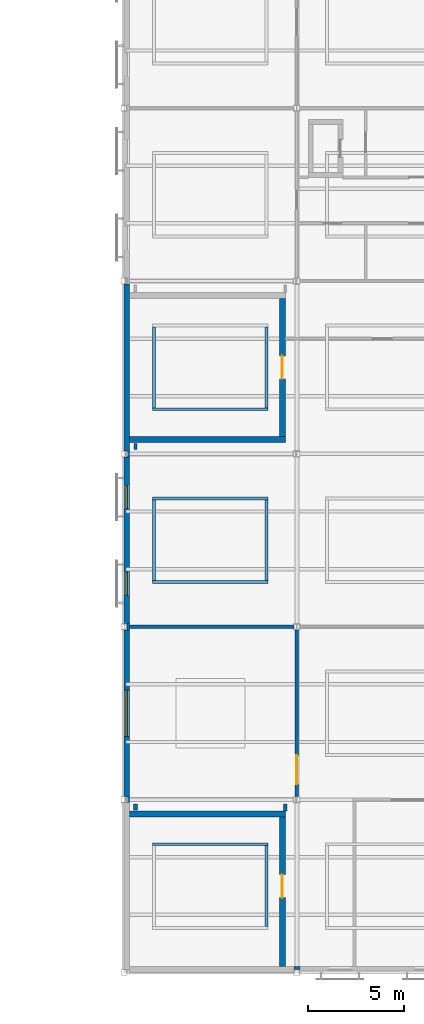
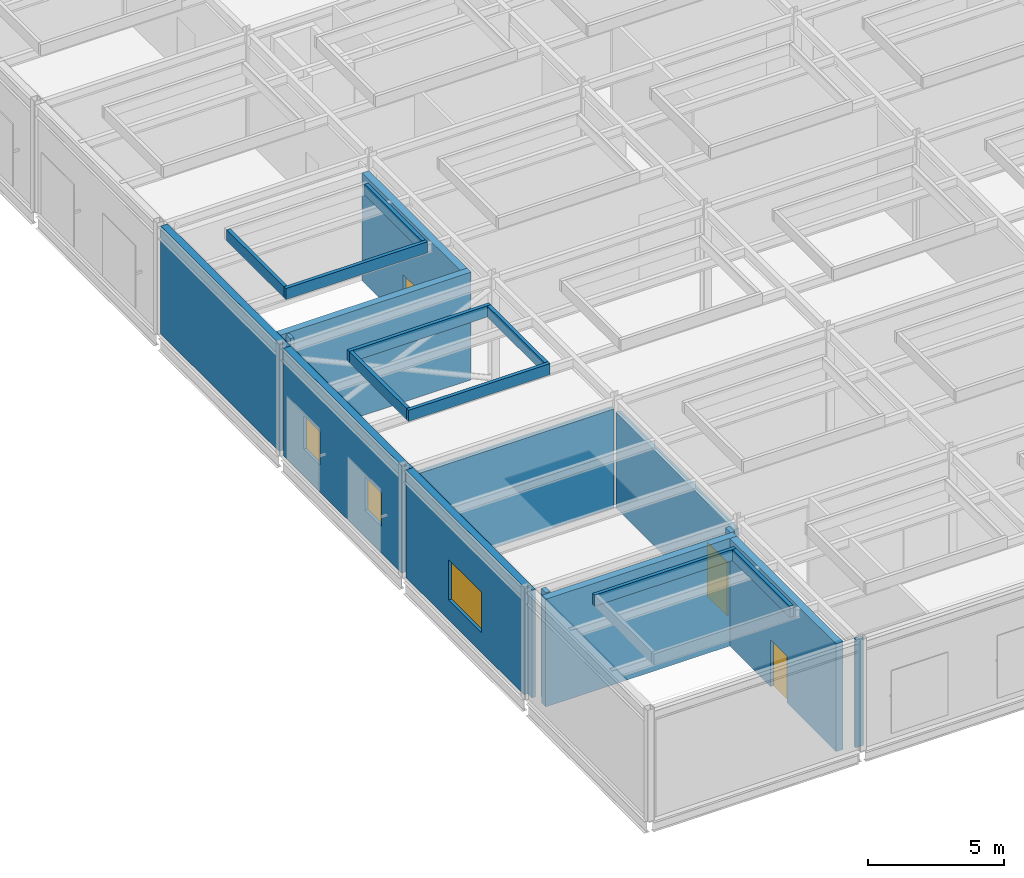
# One storey, part 75 of 115: 25 walls, 3 doors, 3 windows, 6 openings.
"""IFC4 building model written with IfcOpenShell, lengths in metres."""

from ifc_helpers import new_model, si_unit, direction, frame, frame_2d, origin, place, context, subcontext, project, spatial, rectangle, extrude, material, layer, layer_set, type_object, element, fill, save


model = new_model("IFC4")

# Units and contexts
model_context = context("Model", 3, precision=1e-05, world=origin(), true_north=direction((0.0, 1.0)))
body_context = subcontext(model_context, "Body", "Model", "MODEL_VIEW")
ifc_project = project(units=[si_unit("LENGTHUNIT", "METRE"), si_unit("AREAUNIT", "SQUARE_METRE"), si_unit("VOLUMEUNIT", "CUBIC_METRE"), si_unit("PLANEANGLEUNIT", "RADIAN"), si_unit("MASSUNIT", "GRAM", prefix="KILO")], contexts=[model_context])

# Site, building, storey
site_placement = place(None, origin())
site = spatial("IfcSite", under=ifc_project, at=site_placement, CompositionType="ELEMENT")
building_placement = place(site_placement, origin())
building = spatial("IfcBuilding", under=site, at=building_placement, Name="Shorebreak Coast Museum", CompositionType="ELEMENT")
storey_placement = place(building_placement, frame((0.0, 0.0, 11.0)))
storey = spatial("IfcBuildingStorey", under=building, at=storey_placement, Name="L02", CompositionType="ELEMENT", Elevation=11.0)

# Walls
ifc_material_1 = material(Name="Concrete N50 (50 MPa)", Category="concrete")
ifc_layer_1 = layer(ifc_material_1, 0.14990234375)
ifc_layer_set_1 = layer_set([ifc_layer_1], Name="Concrete N50 (50 MPa)")
wall_type_1 = type_object("IfcWallType", Name="Column closure panel 150", PredefinedType="SOLIDWALL", material=ifc_layer_set_1)
for number, where, z_axis, x_axis, name in (
    (1, (62.85009765625, 0.22509765625, 0.0), (0.0, 0.0, 1.0), (1.0, 0.0, 0.0), "Column closure panel L02 S 8A"),
    (2, (54.22509765625, 8.85009765625, 0.0), (0.0, 0.0, 1.0), (0.0, 1.0, 0.0), "Column closure panel L02 W 7B"),
):
    element("IfcWall", number, at=place(storey_placement, frame(where, z_axis=z_axis, x_axis=x_axis)), inside=storey, type_object=wall_type_1, Name=name, PredefinedType="SOLIDWALL", context=body_context, shape_type="SweptSolid", body=[
        extrude(rectangle(XDim=0.322021484375, YDim=0.14990234375, at=frame_2d((0.1611328125, 0.0))), origin(), (0.0, 0.0, 1.0), 4.824951171875),
    ])
wall_1_placement = place(storey_placement, frame((54.22509765625, 17.839111328125, 0.0), z_axis=(0.0, 0.0, 1.0), x_axis=(0.0, 1.0, 0.0)))
element("IfcWall", 3, at=wall_1_placement, inside=storey, type_object=wall_type_1, Name="Column closure panel L02 W 7C", PredefinedType="SOLIDWALL", context=body_context, shape_type="SweptSolid", body=[
    extrude(rectangle(XDim=0.32177734375, YDim=0.14990234375, at=frame_2d((0.160888671875, 0.0))), origin(), (0.0, 0.0, 1.0), 4.824951171875),
])
wall_2_placement = place(storey_placement, frame((54.22509765625, 26.827880859375, 0.0), z_axis=(0.0, 0.0, 1.0), x_axis=(0.0, 1.0, 0.0)))
element("IfcWall", 4, at=wall_2_placement, inside=storey, type_object=wall_type_1, Name="Column closure panel L02 W 7D", PredefinedType="SOLIDWALL", context=body_context, shape_type="SweptSolid", body=[
    extrude(rectangle(XDim=0.322021484375, YDim=0.14990234375, at=frame_2d((0.1611328125, 0.0))), origin(), (0.0, 0.0, 1.0), 4.824951171875),
])
ifc_material_2 = material(Name="Plasterboard on steel stud", Category="steel")
ifc_layer_2 = layer(ifc_material_2, 0.14990234375)
ifc_layer_set_2 = layer_set([ifc_layer_2], Name="Plasterboard on steel stud")
wall_type_2 = type_object("IfcWallType", Name="Fire partition 150", PredefinedType="PARTITIONING", material=ifc_layer_set_2)
wall_3_placement = place(storey_placement, frame((54.60009765625, 27.219970703125, 0.0), z_axis=(0.0, 0.0, 1.0), x_axis=(0.0, 1.0, 0.0)))
element("IfcWall", 5, at=wall_3_placement, inside=storey, type_object=wall_type_2, Name="Partition L02-100", PredefinedType="PARTITIONING", context=body_context, shape_type="SweptSolid", body=[
    extrude(rectangle(XDim=0.330078125, YDim=0.14990234375, at=frame_2d((0.1650390625, 0.0))), origin(), (0.0, 0.0, 1.0), 4.824951171875),
])
ifc_material_3 = material(Name="Concrete masonry", Category="masonry")
ifc_layer_3 = layer(ifc_material_3, 0.199951171875)
ifc_layer_set_3 = layer_set([ifc_layer_3], Name="Concrete masonry")
wall_type_3 = type_object("IfcWallType", Name="Fire wall 200", PredefinedType="PARTITIONING", material=ifc_layer_set_3)
wall_4_placement = place(storey_placement, frame((54.300048828125, 18.0, 0.0), z_axis=(0.0, 0.0, 1.0), x_axis=(1.0, 0.0, 0.0)))
element("IfcWall", 6, at=wall_4_placement, inside=storey, type_object=wall_type_3, Name="Partition L02-007", PredefinedType="PARTITIONING", context=body_context, shape_type="SweptSolid", body=[
    extrude(rectangle(XDim=8.54638671875, YDim=0.199951171875, at=frame_2d((4.273193359375, 0.0))), origin(), (0.0, 0.0, 1.0), 4.418701171875),
])
wall_5_placement = place(storey_placement, frame((54.60009765625, 8.449951171875, 0.0), z_axis=(0.0, 0.0, 1.0), x_axis=(0.0, 1.0, 0.0)))
element("IfcWall", 7, at=wall_5_placement, inside=storey, type_object=wall_type_3, Name="Partition L02-099", PredefinedType="PARTITIONING", context=body_context, shape_type="SweptSolid", body=[
    extrude(rectangle(XDim=0.330078125, YDim=0.199951171875, at=frame_2d((0.1650390625, 0.0))), origin(), (0.0, 0.0, 1.0), 4.824951171875),
])
wall_6_placement = place(storey_placement, frame((62.39990234375, 8.39990234375, 0.0), z_axis=(0.0, 0.0, 1.0), x_axis=(0.0, 1.0, 0.0)))
element("IfcWall", 8, at=wall_6_placement, inside=storey, type_object=wall_type_3, Name="Partition L02-112", PredefinedType="PARTITIONING", context=body_context, shape_type="SweptSolid", body=[
    extrude(rectangle(XDim=0.380126953125, YDim=0.199951171875, at=frame_2d((0.18994140625, 0.0))), origin(), (0.0, 0.0, 1.0), 4.824951171875),
])

# Wall, opening, door
wall_7_placement = place(storey_placement, frame((63.0, 9.1572265625, 0.0), z_axis=(0.0, 0.0, 1.0), x_axis=(0.0, 1.0, 0.0)))
wall_7 = element("IfcWall", 9, at=wall_7_placement, inside=storey, type_object=wall_type_3, Name="Partition L02-114", PredefinedType="PARTITIONING", context=body_context, shape_type="SweptSolid", body=[
    extrude(rectangle(XDim=8.685546875, YDim=0.199951171875, at=frame_2d((4.3427734375, 0.0))), origin(), (0.0, 0.0, 1.0), 4.296875),
])
opening_1_placement = place(wall_7_placement, frame((0.64990234375, 0.0, 0.0)))
opening_1 = element("IfcOpeningElement", 10, at=opening_1_placement, cuts=wall_7, Name="Opening D2026", PredefinedType="OPENING", context=body_context, shape_type="SweptSolid", body=[
    extrude(rectangle(XDim=1.5, YDim=2.39990234375, at=frame_2d((0.75, 1.199951171875))), frame((0.0, 0.10986328125, 0.0), z_axis=(0.0, -1.0, 0.0), x_axis=(1.0, 0.0, 0.0)), (0.0, 0.0, 1.0), 0.219970703125),
])
ifc_material_4 = material(Name="Steel", Category="steel")
door_type_1 = type_object("IfcDoorType", Name="Fire door 1500x2400 120", OperationType="DOUBLE_DOOR_SINGLE_SWING", PredefinedType="DOOR", material=ifc_material_4)
door_1_placement = place(opening_1_placement, origin())
door_1 = element("IfcDoor", 11, at=door_1_placement, inside=storey, type_object=door_type_1, Name="Door D2026 Plant Room 2.01", OperationType="DOUBLE_DOOR_SINGLE_SWING", OverallHeight=2.39990234375, OverallWidth=1.5, PredefinedType="DOOR", context=body_context, shape_type="SweptSolid", body=[
    extrude(rectangle(XDim=1.5, YDim=2.39990234375, at=frame_2d((0.75, 1.199951171875))), frame((0.0, 0.02490234375, 0.0), z_axis=(0.0, -1.0, 0.0), x_axis=(1.0, 0.0, 0.0)), (0.0, 0.0, 1.0), 0.050048828125),
])
fill(opening_1, door_1)

# Wall, opening, window
ifc_material_5 = material(Name="Concrete N50 (50 MPa)", Category="concrete")
ifc_layer_4 = layer(ifc_material_5, 0.300048828125)
ifc_layer_set_4 = layer_set([ifc_layer_4], Name="Concrete N50 (50 MPa)")
wall_type_4 = type_object("IfcWallType", Name="Plant wall 300 rated", PredefinedType="SOLIDWALL", material=ifc_layer_set_4)
wall_8_placement = place(storey_placement, frame((54.14990234375, 9.172119140625, 0.0), z_axis=(0.0, 0.0, 1.0), x_axis=(0.0, 1.0, 0.0)))
wall_8 = element("IfcWall", 12, at=wall_8_placement, inside=storey, type_object=wall_type_4, Name="External wall L02 W 7B", PredefinedType="SOLIDWALL", context=body_context, shape_type="SweptSolid", body=[
    extrude(rectangle(XDim=8.6669921875, YDim=0.300048828125, at=frame_2d((4.33349609375, 0.0))), origin(), (0.0, 0.0, 1.0), 4.824951171875),
])
opening_2_placement = place(wall_8_placement, frame((3.1279296875, 0.0, 0.89990234375)))
opening_2 = element("IfcOpeningElement", 13, at=opening_2_placement, cuts=wall_8, Name="Opening WN2061", PredefinedType="OPENING", context=body_context, shape_type="SweptSolid", body=[
    extrude(rectangle(XDim=2.39990234375, YDim=1.800048828125, at=frame_2d((1.199951171875, 0.89990234375))), frame((0.0, 0.159912109375, 0.0), z_axis=(0.0, -1.0, 0.0), x_axis=(1.0, 0.0, 0.0)), (0.0, 0.0, 1.0), 0.320068359375),
])
ifc_material_6 = material(Name="Aluminium", Category="aluminium")
window_type_1 = type_object("IfcWindowType", Name="Plant louvre 2400 x 1800", PartitioningType="TRIPLE_PANEL_VERTICAL", PredefinedType="WINDOW", material=ifc_material_6)
window_1_placement = place(opening_2_placement, origin())
window_1 = element("IfcWindow", 14, at=window_1_placement, inside=storey, type_object=window_type_1, Name="Louvre WN2061", OverallHeight=1.800048828125, OverallWidth=2.39990234375, PartitioningType="TRIPLE_PANEL_VERTICAL", PredefinedType="WINDOW", context=body_context, shape_type="SweptSolid", body=[
    extrude(rectangle(XDim=2.39990234375, YDim=1.800048828125, at=frame_2d((1.199951171875, 0.89990234375))), frame((0.0, 0.030029296875, 0.0), z_axis=(0.0, -1.0, 0.0), x_axis=(1.0, 0.0, 0.0)), (0.0, 0.0, 1.0), 0.06005859375),
])
fill(opening_2, window_1)

# Walls
ifc_material_7 = material(Name="Concrete N50 (50 MPa)", Category="concrete")
ifc_layer_5 = layer(ifc_material_7, 0.14990234375)
ifc_layer_set_5 = layer_set([ifc_layer_5], Name="Concrete N50 (50 MPa)")
wall_type_5 = type_object("IfcWallType", Name="Planter wall 150 high 500", PredefinedType="PARAPET", material=ifc_layer_set_5)
wall_9_placement = place(storey_placement, frame((55.5, 6.675048828125, 5.0), z_axis=(0.0, 0.0, 1.0), x_axis=(1.0, 0.0, 0.0)))
element("IfcWall", 15, at=wall_9_placement, inside=storey, type_object=wall_type_5, Name="Planter SDECK 17 north wall", PredefinedType="PARAPET", context=body_context, shape_type="SweptSolid", body=[
    extrude(rectangle(XDim=6.0, YDim=0.14990234375, at=frame_2d((3.0, 0.0))), origin(), (0.0, 0.0, 1.0), 0.5),
])
wall_10_placement = place(storey_placement, frame((61.425048828125, 2.39990234375, 5.0), z_axis=(0.0, 0.0, 1.0), x_axis=(0.0, 1.0, 0.0)))
element("IfcWall", 16, at=wall_10_placement, inside=storey, type_object=wall_type_5, Name="Planter SDECK 17 east wall", PredefinedType="PARAPET", context=body_context, shape_type="SweptSolid", body=[
    extrude(rectangle(XDim=4.2001953125, YDim=0.14990234375, at=frame_2d((2.10009765625, 0.0))), origin(), (0.0, 0.0, 1.0), 0.5),
])
for number, where, z_axis, x_axis, name in (
    (17, (55.5, 20.324951171875, 5.0), (0.0, 0.0, 1.0), (1.0, 0.0, 0.0), "Planter SDECK 30 south wall"),
    (18, (55.5, 24.675048828125, 5.0), (0.0, 0.0, 1.0), (1.0, 0.0, 0.0), "Planter SDECK 30 north wall"),
):
    element("IfcWall", number, at=place(storey_placement, frame(where, z_axis=z_axis, x_axis=x_axis)), inside=storey, type_object=wall_type_5, Name=name, PredefinedType="PARAPET", context=body_context, shape_type="SweptSolid", body=[
        extrude(rectangle(XDim=6.0, YDim=0.14990234375, at=frame_2d((3.0, 0.0))), origin(), (0.0, 0.0, 1.0), 0.5),
    ])
for number, where, z_axis, x_axis, name in (
    (19, (55.574951171875, 20.39990234375, 5.0), (0.0, 0.0, 1.0), (0.0, 1.0, 0.0), "Planter SDECK 30 west wall"),
    (20, (61.425048828125, 20.39990234375, 5.0), (0.0, 0.0, 1.0), (0.0, 1.0, 0.0), "Planter SDECK 30 east wall"),
):
    element("IfcWall", number, at=place(storey_placement, frame(where, z_axis=z_axis, x_axis=x_axis)), inside=storey, type_object=wall_type_5, Name=name, PredefinedType="PARAPET", context=body_context, shape_type="SweptSolid", body=[
        extrude(rectangle(XDim=4.2001953125, YDim=0.14990234375, at=frame_2d((2.10009765625, 0.0))), origin(), (0.0, 0.0, 1.0), 0.5),
    ])
wall_11_placement = place(storey_placement, frame((55.5, 29.324951171875, 5.0), z_axis=(0.0, 0.0, 1.0), x_axis=(1.0, 0.0, 0.0)))
element("IfcWall", 21, at=wall_11_placement, inside=storey, type_object=wall_type_5, Name="Planter SDECK 37 south wall", PredefinedType="PARAPET", context=body_context, shape_type="SweptSolid", body=[
    extrude(rectangle(XDim=6.0, YDim=0.14990234375, at=frame_2d((3.0, 0.0))), origin(), (0.0, 0.0, 1.0), 0.5),
])
for number, where, z_axis, x_axis, name in (
    (22, (55.574951171875, 29.39990234375, 5.0), (0.0, 0.0, 1.0), (0.0, 1.0, 0.0), "Planter SDECK 37 west wall"),
    (23, (61.425048828125, 29.39990234375, 5.0), (0.0, 0.0, 1.0), (0.0, 1.0, 0.0), "Planter SDECK 37 east wall"),
):
    element("IfcWall", number, at=place(storey_placement, frame(where, z_axis=z_axis, x_axis=x_axis)), inside=storey, type_object=wall_type_5, Name=name, PredefinedType="PARAPET", context=body_context, shape_type="SweptSolid", body=[
        extrude(rectangle(XDim=4.2001953125, YDim=0.14990234375, at=frame_2d((2.10009765625, 0.0))), origin(), (0.0, 0.0, 1.0), 0.5),
    ])
ifc_material_8 = material(Name="Concrete N50 (50 MPa)", Category="concrete")
ifc_layer_6 = layer(ifc_material_8, 0.300048828125)
ifc_layer_set_6 = layer_set([ifc_layer_6], Name="Concrete N50 (50 MPa)")
wall_type_6 = type_object("IfcWallType", Name="RC wall 300", PredefinedType="SHEAR", material=ifc_layer_set_6)
wall_12_placement = place(storey_placement, frame((54.300048828125, 8.25, 0.0), z_axis=(0.0, 0.0, 1.0), x_axis=(1.0, 0.0, 0.0)))
element("IfcWall", 24, at=wall_12_placement, inside=storey, type_object=wall_type_6, Name="Stair core wall ST11 L02 N", PredefinedType="SHEAR", context=body_context, shape_type="SweptSolid", body=[
    extrude(rectangle(XDim=8.099853515625, YDim=0.300048828125, at=frame_2d((4.0498046875, 0.0))), origin(), (0.0, 0.0, 1.0), 4.824951171875),
])

# Wall, opening, door
wall_13_placement = place(storey_placement, frame((62.25, 0.300048828125, 0.0), z_axis=(0.0, 0.0, 1.0), x_axis=(0.0, 1.0, 0.0)))
wall_13 = element("IfcWall", 25, at=wall_13_placement, inside=storey, type_object=wall_type_6, Name="Stair core wall ST11 L02 E", PredefinedType="SHEAR", context=body_context, shape_type="SweptSolid", body=[
    extrude(rectangle(XDim=7.800048828125, YDim=0.300048828125, at=frame_2d((3.89990234375, 0.0))), origin(), (0.0, 0.0, 1.0), 4.824951171875),
])
opening_3_placement = place(wall_13_placement, frame((3.60009765625, 0.0, 0.0)))
opening_3 = element("IfcOpeningElement", 26, at=opening_3_placement, cuts=wall_13, Name="Opening D2811", PredefinedType="OPENING", context=body_context, shape_type="SweptSolid", body=[
    extrude(rectangle(XDim=1.199951171875, YDim=2.10009765625, at=frame_2d((0.60009765625, 1.050048828125))), frame((0.0, 0.159912109375, 0.0), z_axis=(0.0, -1.0, 0.0), x_axis=(1.0, 0.0, 0.0)), (0.0, 0.0, 1.0), 0.320068359375),
])
ifc_material_9 = material(Name="Steel Grade 300", Category="steel")
door_type_2 = type_object("IfcDoorType", Name="Fire door 1200x2100", OperationType="SINGLE_SWING_LEFT", PredefinedType="DOOR", material=ifc_material_9)
door_2_placement = place(opening_3_placement, origin())
door_2 = element("IfcDoor", 27, at=door_2_placement, inside=storey, type_object=door_type_2, Name="Stair door ST11 L02", OperationType="SINGLE_SWING_LEFT", OverallHeight=2.10009765625, OverallWidth=1.199951171875, PredefinedType="DOOR", context=body_context, shape_type="SweptSolid", body=[
    extrude(rectangle(XDim=1.199951171875, YDim=2.10009765625, at=frame_2d((0.60009765625, 1.050048828125))), frame((0.0, 0.02490234375, 0.0), z_axis=(0.0, -1.0, 0.0), x_axis=(1.0, 0.0, 0.0)), (0.0, 0.0, 1.0), 0.050048828125),
])
fill(opening_3, door_2)

# Walls
wall_14_placement = place(storey_placement, frame((54.300048828125, 27.75, 0.0), z_axis=(0.0, 0.0, 1.0), x_axis=(1.0, 0.0, 0.0)))
element("IfcWall", 28, at=wall_14_placement, inside=storey, type_object=wall_type_6, Name="Stair core wall ST13 L02 S", PredefinedType="SHEAR", context=body_context, shape_type="SweptSolid", body=[
    extrude(rectangle(XDim=8.099853515625, YDim=0.300048828125, at=frame_2d((4.0498046875, 0.0))), origin(), (0.0, 0.0, 1.0), 4.824951171875),
])
wall_15_placement = place(storey_placement, frame((54.14990234375, 27.14990234375, 0.0), z_axis=(0.0, 0.0, 1.0), x_axis=(0.0, 1.0, 0.0)))
element("IfcWall", 29, at=wall_15_placement, inside=storey, type_object=wall_type_6, Name="Stair core wall ST13 L02 W", PredefinedType="SHEAR", context=body_context, shape_type="SweptSolid", body=[
    extrude(rectangle(XDim=8.7001953125, YDim=0.300048828125, at=frame_2d((4.35009765625, 0.0))), origin(), (0.0, 0.0, 1.0), 4.824951171875),
])

# Wall, opening, door
wall_16_placement = place(storey_placement, frame((62.25, 27.89990234375, 0.0), z_axis=(0.0, 0.0, 1.0), x_axis=(0.0, 1.0, 0.0)))
wall_16 = element("IfcWall", 30, at=wall_16_placement, inside=storey, type_object=wall_type_6, Name="Stair core wall ST13 L02 E", PredefinedType="SHEAR", context=body_context, shape_type="SweptSolid", body=[
    extrude(rectangle(XDim=7.2001953125, YDim=0.300048828125, at=frame_2d((3.60009765625, 0.0))), origin(), (0.0, 0.0, 1.0), 4.824951171875),
])
opening_4_placement = place(wall_16_placement, frame((3.0, 0.0, 0.0)))
opening_4 = element("IfcOpeningElement", 31, at=opening_4_placement, cuts=wall_16, Name="Opening D2813", PredefinedType="OPENING", context=body_context, shape_type="SweptSolid", body=[
    extrude(rectangle(XDim=1.199951171875, YDim=2.10009765625, at=frame_2d((0.60009765625, 1.050048828125))), frame((0.0, 0.159912109375, 0.0), z_axis=(0.0, -1.0, 0.0), x_axis=(1.0, 0.0, 0.0)), (0.0, 0.0, 1.0), 0.320068359375),
])
door_3_placement = place(opening_4_placement, origin())
door_3 = element("IfcDoor", 32, at=door_3_placement, inside=storey, type_object=door_type_2, Name="Stair door ST13 L02", OperationType="SINGLE_SWING_RIGHT", OverallHeight=2.10009765625, OverallWidth=1.199951171875, PredefinedType="DOOR", context=body_context, shape_type="SweptSolid", body=[
    extrude(rectangle(XDim=1.199951171875, YDim=2.10009765625, at=frame_2d((0.60009765625, 1.050048828125))), frame((0.0, 0.02490234375, 0.0), z_axis=(0.0, -1.0, 0.0), x_axis=(1.0, 0.0, 0.0)), (0.0, 0.0, 1.0), 0.050048828125),
])
fill(opening_4, door_3)

# Wall, openings, windows
ifc_material_10 = material(Name="Concrete N50 (50 MPa)", Category="concrete")
ifc_layer_7 = layer(ifc_material_10, 0.300048828125)
ifc_layer_set_7 = layer_set([ifc_layer_7], Name="Concrete N50 (50 MPa)")
wall_type_7 = type_object("IfcWallType", Name="Sand-coloured precast panel 300", PredefinedType="SOLIDWALL", material=ifc_layer_set_7)
wall_17_placement = place(storey_placement, frame((54.14990234375, 18.160888671875, 0.0), z_axis=(0.0, 0.0, 1.0), x_axis=(0.0, 1.0, 0.0)))
wall_17 = element("IfcWall", 33, at=wall_17_placement, inside=storey, type_object=wall_type_7, Name="External wall L02 W 7C", PredefinedType="SOLIDWALL", context=body_context, shape_type="SweptSolid", body=[
    extrude(rectangle(XDim=8.6669921875, YDim=0.300048828125, at=frame_2d((4.33349609375, 0.0))), origin(), (0.0, 0.0, 1.0), 4.824951171875),
])
opening_5_placement = place(wall_17_placement, frame((1.489013671875, 0.0, 1.199951171875)))
opening_5 = element("IfcOpeningElement", 34, at=opening_5_placement, cuts=wall_17, Name="Opening WN2062", PredefinedType="OPENING", context=body_context, shape_type="SweptSolid", body=[
    extrude(rectangle(XDim=1.199951171875, YDim=1.5, at=frame_2d((0.60009765625, 0.75))), frame((0.0, 0.159912109375, 0.0), z_axis=(0.0, -1.0, 0.0), x_axis=(1.0, 0.0, 0.0)), (0.0, 0.0, 1.0), 0.320068359375),
])
opening_6_placement = place(wall_17_placement, frame((5.989013671875, 0.0, 1.199951171875)))
opening_6 = element("IfcOpeningElement", 35, at=opening_6_placement, cuts=wall_17, Name="Opening WN2063", PredefinedType="OPENING", context=body_context, shape_type="SweptSolid", body=[
    extrude(rectangle(XDim=1.199951171875, YDim=1.5, at=frame_2d((0.60009765625, 0.75))), frame((0.0, 0.159912109375, 0.0), z_axis=(0.0, -1.0, 0.0), x_axis=(1.0, 0.0, 0.0)), (0.0, 0.0, 1.0), 0.320068359375),
])
ifc_material_11 = material(Name="Aluminium", Category="aluminium")
window_type_2 = type_object("IfcWindowType", Name="Punched window 1200 x 1500", PartitioningType="SINGLE_PANEL", PredefinedType="WINDOW", material=ifc_material_11)
window_2_placement = place(opening_5_placement, origin())
window_2 = element("IfcWindow", 36, at=window_2_placement, inside=storey, type_object=window_type_2, Name="Window WN2062", OverallHeight=1.5, OverallWidth=1.199951171875, PartitioningType="SINGLE_PANEL", PredefinedType="WINDOW", context=body_context, shape_type="SweptSolid", body=[
    extrude(rectangle(XDim=1.199951171875, YDim=1.5, at=frame_2d((0.60009765625, 0.75))), frame((0.0, 0.030029296875, 0.0), z_axis=(0.0, -1.0, 0.0), x_axis=(1.0, 0.0, 0.0)), (0.0, 0.0, 1.0), 0.06005859375),
])
fill(opening_5, window_2)
window_3_placement = place(opening_6_placement, origin())
window_3 = element("IfcWindow", 37, at=window_3_placement, inside=storey, type_object=window_type_2, Name="Window WN2063", OverallHeight=1.5, OverallWidth=1.199951171875, PartitioningType="SINGLE_PANEL", PredefinedType="WINDOW", context=body_context, shape_type="SweptSolid", body=[
    extrude(rectangle(XDim=1.199951171875, YDim=1.5, at=frame_2d((0.60009765625, 0.75))), frame((0.0, 0.030029296875, 0.0), z_axis=(0.0, -1.0, 0.0), x_axis=(1.0, 0.0, 0.0)), (0.0, 0.0, 1.0), 0.06005859375),
])
fill(opening_6, window_3)

save(model, "model.ifc")
